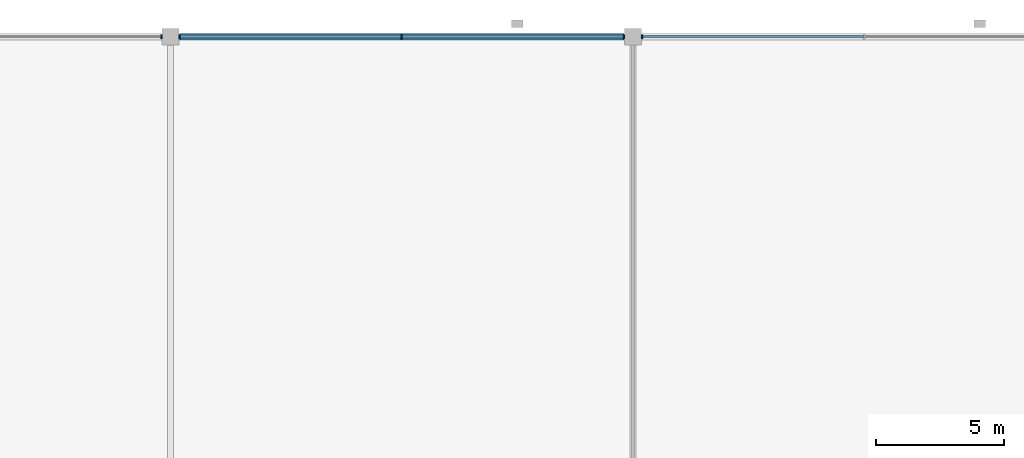
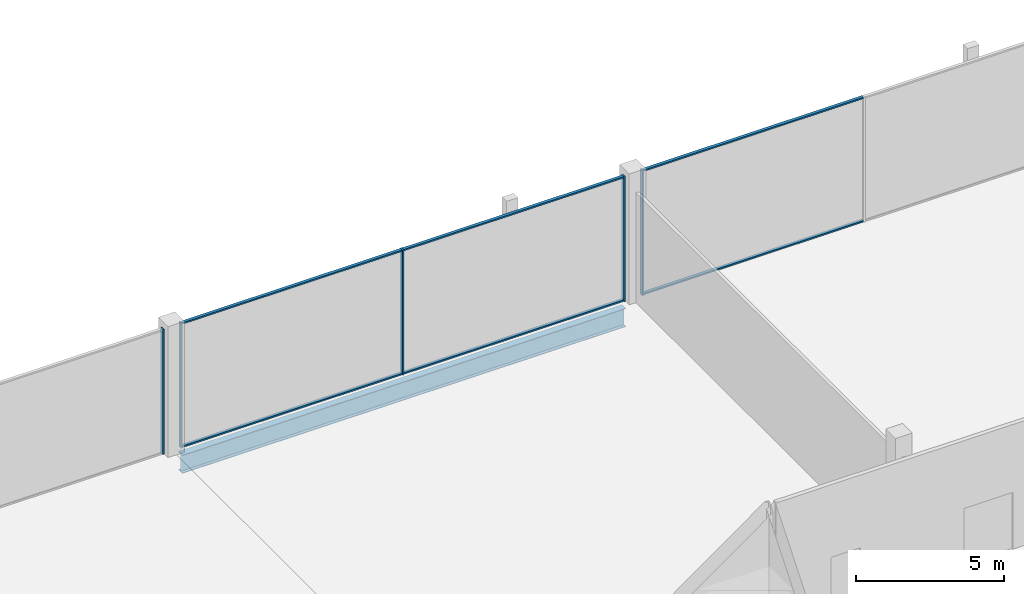
# One storey, part 43 of 113: 11 members, 1 beam, 3 elements without a shape of their own.
"""IFC4 building model written with IfcOpenShell, lengths in metres."""

import ifcopenshell
import ifcopenshell.guid

model = None  # the IFC model being written
_history = None  # IfcOwnerHistory: only IFC2X3 demands one
_inside = {}  # id of a spatial element -> (the spatial element, [elements in it])
_under = {}  # id of a project, library or spatial element -> (it, [spatial elements below it])
_declared = {}  # id of a project -> (the project, [libraries it declares])
_typed = {}  # id of a type object -> (the type object, [elements of that type])
_made_of = {}  # id of a material, layer set ... -> (it, [elements and type objects made of it])


def new_model(schema):
    """Start an empty IFC model of exactly this schema.

    Asked for "IFC4X3", IfcOpenShell would pick the latest addendum, in which some entities
    have other attributes; the version numbers below select the first issue.
    IFC2X3 requires an IfcOwnerHistory on every rooted entity: one is made here for all.
    """
    global model, _history
    if schema == "IFC4X3":
        model = ifcopenshell.file(schema_version=(4, 3, 0, 0))
    else:
        model = ifcopenshell.file(schema=schema)
    _inside.clear()
    _under.clear()
    _declared.clear()
    _typed.clear()
    _made_of.clear()
    _history = None
    if model.schema == "IFC2X3":
        org = make("IfcOrganization", Name="unknown")
        user = make(
            "IfcPersonAndOrganization",
            ThePerson=make("IfcPerson", FamilyName="unknown"),
            TheOrganization=org,
        )
        app = make(
            "IfcApplication",
            ApplicationDeveloper=org,
            Version="unknown",
            ApplicationFullName="unknown",
            ApplicationIdentifier="unknown",
        )
        _history = make(
            "IfcOwnerHistory",
            OwningUser=user,
            OwningApplication=app,
            ChangeAction="ADDED",
            CreationDate=0,
        )
    return model


def make(cls, **values):
    """One entity of the class cls with the attributes given. An attribute that is None is left unset."""
    return model.create_entity(
        cls, **{name: value for name, value in values.items() if value is not None}
    )


def rooted(cls, **values):
    """An entity with a GlobalId (a new one), such as an element, a storey or a relation."""
    return make(cls, GlobalId=ifcopenshell.guid.new(), OwnerHistory=_history, **values)


def si_unit(unit_type, name, prefix=None):
    """IfcSIUnit, for example si_unit("LENGTHUNIT", "METRE", prefix="MILLI")."""
    return make("IfcSIUnit", UnitType=unit_type, Prefix=prefix, Name=name)


def assignment(units):
    """IfcUnitAssignment: the units of a project."""
    return None if units is None else make("IfcUnitAssignment", Units=units)


def point(xyz):
    """IfcCartesianPoint."""
    return None if xyz is None else make("IfcCartesianPoint", Coordinates=xyz)


def direction(xyz):
    """IfcDirection."""
    return None if xyz is None else make("IfcDirection", DirectionRatios=xyz)


def frame(location, z_axis=None, x_axis=None):
    """IfcAxis2Placement3D, a coordinate frame: its origin and axes. An axis left out is left unset."""
    return make(
        "IfcAxis2Placement3D",
        Location=point(location),
        Axis=direction(z_axis),
        RefDirection=direction(x_axis),
    )


def frame_2d(location, x_axis=None):
    """IfcAxis2Placement2D, a coordinate frame in the plane: its origin and x axis."""
    return make(
        "IfcAxis2Placement2D", Location=point(location), RefDirection=direction(x_axis)
    )


def origin():
    """The frame at (0, 0, 0) with its axes left unset."""
    return frame((0.0, 0.0, 0.0))


def origin_2d():
    """The frame at (0, 0) in the plane with its x axis left unset."""
    return frame_2d((0.0, 0.0))


def place(relative_to, where):
    """IfcLocalPlacement: puts the frame where relative to a parent placement (None: the world)."""
    return make(
        "IfcLocalPlacement", PlacementRelTo=relative_to, RelativePlacement=where
    )


def context(
    kind, dimensions, precision=None, world=None, true_north=None, identifier=None
):
    """IfcGeometricRepresentationContext, for example the 3D "Model" context."""
    return make(
        "IfcGeometricRepresentationContext",
        ContextIdentifier=identifier,
        ContextType=kind,
        CoordinateSpaceDimension=dimensions,
        Precision=precision,
        WorldCoordinateSystem=world,
        TrueNorth=true_north,
    )


def subcontext(parent, identifier, kind, view, scale=None):
    """IfcGeometricRepresentationSubContext, for example "Body" below "Model"."""
    return make(
        "IfcGeometricRepresentationSubContext",
        ContextIdentifier=identifier,
        ContextType=kind,
        ParentContext=parent,
        TargetScale=scale,
        TargetView=view,
    )


def project(units=None, contexts=None):
    """IfcProject with its units and contexts."""
    return rooted(
        "IfcProject",
        Name="project",
        RepresentationContexts=contexts,
        UnitsInContext=assignment(units),
    )


def spatial(cls, under=None, at=None, **own):
    """A site, building, storey or space (cls), placed at a placement, below another one or the project."""
    s = rooted(cls, ObjectPlacement=at, **own)
    if under is not None:
        _under.setdefault(under.id(), (under, []))[1].append(s)
    return s


def profile(cls, at=None, kind="AREA", **sizes):
    """A parametric profile (cls). Its sizes go by their IFC names, for example OverallWidth=200.0."""
    return make(cls, ProfileType=kind, Position=at, **sizes)


def rectangle(**sizes):
    """IfcRectangleProfileDef."""
    return profile("IfcRectangleProfileDef", **sizes)


def i_section(**sizes):
    """IfcIShapeProfileDef."""
    return profile("IfcIShapeProfileDef", **sizes)


def extrude(swept, where, along, depth):
    """IfcExtrudedAreaSolid: the profile swept, set in the frame where, extruded along a direction by depth."""
    return make(
        "IfcExtrudedAreaSolid",
        SweptArea=swept,
        Position=where,
        ExtrudedDirection=direction(along),
        Depth=depth,
    )


def shape(context_of_items, identifier, shape_type, items):
    """IfcShapeRepresentation: the items that make up one representation, for example the "Body"."""
    return make(
        "IfcShapeRepresentation",
        ContextOfItems=context_of_items,
        RepresentationIdentifier=identifier,
        RepresentationType=shape_type,
        Items=items,
    )


def material(Name=None, Category=None):
    """IfcMaterial."""
    return make("IfcMaterial", Name=Name, Category=Category)


def layer(
    of_material, thickness, ventilated=None, Name=None, Category=None, Priority=None
):
    """IfcMaterialLayer: one layer of a wall or slab, of a material (None: an air gap)."""
    return make(
        "IfcMaterialLayer",
        Material=of_material,
        LayerThickness=thickness,
        IsVentilated=ventilated,
        Name=Name,
        Category=Category,
        Priority=Priority,
    )


def layer_set(layers, Name=None):
    """IfcMaterialLayerSet."""
    return make("IfcMaterialLayerSet", MaterialLayers=layers, LayerSetName=Name)


def material_profile(
    of_material, cross_section, Name=None, Category=None, Priority=None
):
    """IfcMaterialProfile: a cross section and its material."""
    return make(
        "IfcMaterialProfile",
        Name=Name,
        Material=of_material,
        Profile=cross_section,
        Priority=Priority,
        Category=Category,
    )


def profile_set(profiles, Name=None, composite=None):
    """IfcMaterialProfileSet."""
    return make(
        "IfcMaterialProfileSet",
        Name=Name,
        MaterialProfiles=profiles,
        CompositeProfile=composite,
    )


def made_of(thing, what):
    """Note that an element or type object is made of a material, layer set ...; save() writes the relation."""
    if what is not None:
        _made_of.setdefault(what.id(), (what, []))[1].append(thing)
    return thing


def type_object(cls, material=None, **own):
    """A type object (cls), such as IfcWallType, which elements share."""
    return made_of(rooted(cls, **own), material)


def element(
    cls,
    number,
    at=None,
    inside=None,
    cuts=None,
    type_object=None,
    material=None,
    context=None,
    identifier="Body",
    shape_type=None,
    held_by="IfcProductDefinitionShape",
    body=None,
    shapes=None,
    **own,
):
    """One element of the class cls, such as IfcWall. Its Tag is "e" and its number.

    at: its placement. inside: the storey or other place that contains it. cuts: it is an
    opening in that element (IfcRelVoidsElement). A single representation is given by context,
    identifier, shape_type and body (its items); several are given by shapes. held_by: the class
    of the entity that holds the representations. save() writes the other relations.
    """
    e = rooted(cls, Tag="e%d" % number, ObjectPlacement=at, **own)
    if body is not None:
        shapes = [shape(context, identifier, shape_type, body)]
    if shapes is not None:
        e.Representation = make(held_by, Representations=shapes)
    if inside is not None:
        _inside.setdefault(inside.id(), (inside, []))[1].append(e)
    if cuts is not None:
        rooted(
            "IfcRelVoidsElement", RelatingBuildingElement=cuts, RelatedOpeningElement=e
        )
    if type_object is not None:
        _typed.setdefault(type_object.id(), (type_object, []))[1].append(e)
    return made_of(e, material)


def aggregate(whole, parts):
    """IfcRelAggregates: a whole, such as a stair, and the parts it consists of."""
    return rooted("IfcRelAggregates", RelatingObject=whole, RelatedObjects=parts)


def save(model, path):
    """Write the relations noted so far, then the file.

    IfcRelAggregates (storeys below a building ...), IfcRelContainedInSpatialStructure (elements
    in a storey), IfcRelDefinesByType, IfcRelAssociatesMaterial and IfcRelDeclares: one each for
    every whole, place, type object, material and project.
    """
    for whole, parts in _under.values():
        aggregate(whole, parts)
    for where, things in _inside.values():
        rooted(
            "IfcRelContainedInSpatialStructure",
            RelatedElements=things,
            RelatingStructure=where,
        )
    for kind, things in _typed.values():
        rooted("IfcRelDefinesByType", RelatedObjects=things, RelatingType=kind)
    for what, things in _made_of.values():
        rooted("IfcRelAssociatesMaterial", RelatedObjects=things, RelatingMaterial=what)
    for by, libraries in _declared.values():
        rooted("IfcRelDeclares", RelatingContext=by, RelatedDefinitions=libraries)
    model.write(path)


model = new_model("IFC4")

# Units and contexts
model_context = context("Model", 3, precision=1e-05, world=origin(), true_north=direction((0.0, 1.0)))
body_context = subcontext(model_context, "Body", "Model", "MODEL_VIEW")
ifc_project = project(units=[si_unit("LENGTHUNIT", "METRE"), si_unit("AREAUNIT", "SQUARE_METRE"), si_unit("VOLUMEUNIT", "CUBIC_METRE"), si_unit("PLANEANGLEUNIT", "RADIAN"), si_unit("MASSUNIT", "GRAM", prefix="KILO")], contexts=[model_context])

# Site, building, storey
site_placement = place(None, origin())
site = spatial("IfcSite", under=ifc_project, at=site_placement, CompositionType="ELEMENT")
building_placement = place(site_placement, origin())
building = spatial("IfcBuilding", under=site, at=building_placement, Name="Kisiwana Market Hall", CompositionType="ELEMENT")
storey_placement = place(building_placement, frame((0.0, 0.0, 6.0)))
storey = spatial("IfcBuildingStorey", under=building, at=storey_placement, Name="L01", CompositionType="ELEMENT", Elevation=6.0)

# Beam
ifc_material_1 = material(Name="Steel S355", Category="steel")
ifc_material_profile_1 = material_profile(ifc_material_1, i_section(OverallWidth=0.2666015625, OverallDepth=0.76220703125, WebThickness=0.014404296875, FlangeThickness=0.021484375, at=origin_2d()), Name="UB 762x267x173")
ifc_profile_set_1 = profile_set([ifc_material_profile_1], Name="Steel S355")
beam_type = type_object("IfcBeamType", Name="BM-GIRD-UB762", PredefinedType="BEAM", material=ifc_profile_set_1)
beam_placement = place(storey_placement, frame((99.345947265625, 120.0, -0.631103515625), z_axis=(1.0, 0.0, 0.0), x_axis=(0.0, 1.0, 0.0)))
element("IfcBeam", 1, at=beam_placement, inside=storey, type_object=beam_type, Name="Floor beam B-0548", PredefinedType="BEAM", context=body_context, shape_type="SweptSolid", body=[
    extrude(i_section(OverallWidth=0.2666015625, OverallDepth=0.76220703125, WebThickness=0.014404296875, FlangeThickness=0.021484375, at=origin_2d()), origin(), (0.0, 0.0, 1.0), 17.30810546875),
])

# Curtain wall, member
ifc_material_2 = material(Name="Double-glazed solar-control low-E IGU", Category="glass")
ifc_layer = layer(ifc_material_2, 0.159912109375)
ifc_layer_set = layer_set([ifc_layer], Name="CW-FC-N-8100")
curtain_wall_type = type_object("IfcCurtainWallType", Name="CW-FC-N-8100", PredefinedType="USERDEFINED", material=ifc_layer_set)
curtain_wall_1_placement = place(storey_placement, origin())
curtain_wall_1 = element("IfcCurtainWall", 2, at=curtain_wall_1_placement, inside=storey, type_object=curtain_wall_type, Name="Unitised curtain wall CW-038 (L01)", ObjectType="UNITISED CURTAIN WALL", PredefinedType="USERDEFINED")
ifc_material_3 = material(Name="Aluminium alloy 6063-T6", Category="aluminium")
ifc_material_profile_2 = material_profile(ifc_material_3, rectangle(XDim=0.06005859375, YDim=0.159912109375, at=origin_2d()), Name="ALU MULLION 60x160")
ifc_profile_set_2 = profile_set([ifc_material_profile_2], Name="Aluminium alloy 6063-T6")
member_type_1 = type_object("IfcMemberType", Name="CW-MULL-60x160", PredefinedType="MULLION", material=ifc_profile_set_2)
member_1_placement = place(storey_placement, frame((98.64501953125, 120.0, 0.0), z_axis=(0.0, 0.0, 1.0), x_axis=(1.0, 0.0, 0.0)))
member_1 = element("IfcMember", 3, at=member_1_placement, type_object=member_type_1, Name="CW-038 mullion 3", PredefinedType="MULLION", context=body_context, shape_type="SweptSolid", body=[
    extrude(rectangle(XDim=0.06005859375, YDim=0.159912109375, at=origin_2d()), origin(), (0.0, 0.0, 1.0), 5.14990234375),
])
aggregate(curtain_wall_1, [member_1])

# Curtain wall, members
curtain_wall_2_placement = place(storey_placement, origin())
curtain_wall_2 = element("IfcCurtainWall", 4, at=curtain_wall_2_placement, inside=storey, type_object=curtain_wall_type, Name="Unitised curtain wall CW-039 (L01)", ObjectType="UNITISED CURTAIN WALL", PredefinedType="USERDEFINED")
member_2_placement = place(storey_placement, frame((99.35498046875, 120.0, 0.0), z_axis=(0.0, 0.0, 1.0), x_axis=(1.0, 0.0, 0.0)))
member_2 = element("IfcMember", 5, at=member_2_placement, type_object=member_type_1, Name="CW-039 mullion 1", PredefinedType="MULLION", context=body_context, shape_type="SweptSolid", body=[
    extrude(rectangle(XDim=0.06005859375, YDim=0.159912109375, at=origin_2d()), origin(), (0.0, 0.0, 1.0), 5.14990234375),
])
member_3_placement = place(storey_placement, frame((108.0, 120.0, 0.0), z_axis=(0.0, 0.0, 1.0), x_axis=(1.0, 0.0, 0.0)))
member_3 = element("IfcMember", 6, at=member_3_placement, type_object=member_type_1, Name="CW-039 mullion 2", PredefinedType="MULLION", context=body_context, shape_type="SweptSolid", body=[
    extrude(rectangle(XDim=0.06005859375, YDim=0.159912109375, at=origin_2d()), origin(), (0.0, 0.0, 1.0), 5.14990234375),
])
member_4_placement = place(storey_placement, frame((116.64501953125, 120.0, 0.0), z_axis=(0.0, 0.0, 1.0), x_axis=(1.0, 0.0, 0.0)))
member_4 = element("IfcMember", 7, at=member_4_placement, type_object=member_type_1, Name="CW-039 mullion 3", PredefinedType="MULLION", context=body_context, shape_type="SweptSolid", body=[
    extrude(rectangle(XDim=0.06005859375, YDim=0.159912109375, at=origin_2d()), origin(), (0.0, 0.0, 1.0), 5.14990234375),
])

# Curtain wall, member
curtain_wall_3_placement = place(storey_placement, origin())
curtain_wall_3 = element("IfcCurtainWall", 8, at=curtain_wall_3_placement, inside=storey, type_object=curtain_wall_type, Name="Unitised curtain wall CW-040 (L01)", ObjectType="UNITISED CURTAIN WALL", PredefinedType="USERDEFINED")
member_5_placement = place(storey_placement, frame((117.35498046875, 120.0, 0.0), z_axis=(0.0, 0.0, 1.0), x_axis=(1.0, 0.0, 0.0)))
member_5 = element("IfcMember", 9, at=member_5_placement, type_object=member_type_1, Name="CW-040 mullion 1", PredefinedType="MULLION", context=body_context, shape_type="SweptSolid", body=[
    extrude(rectangle(XDim=0.06005859375, YDim=0.159912109375, at=origin_2d()), origin(), (0.0, 0.0, 1.0), 5.14990234375),
])

# Member
ifc_material_4 = material(Name="Aluminium alloy 6063-T6", Category="aluminium")
ifc_material_profile_3 = material_profile(ifc_material_4, rectangle(XDim=0.1201171875, YDim=0.06005859375, at=origin_2d()), Name="ALU TRANSOM 60x120")
ifc_profile_set_3 = profile_set([ifc_material_profile_3], Name="Aluminium alloy 6063-T6")
member_type_2 = type_object("IfcMemberType", Name="CW-TRAN-60x120", PredefinedType="USERDEFINED", material=ifc_profile_set_3)
member_6_placement = place(storey_placement, frame((99.385009765625, 120.0, 0.030029296875), z_axis=(1.0, 0.0, 0.0), x_axis=(0.0, 1.0, 0.0)))
member_6 = element("IfcMember", 10, at=member_6_placement, type_object=member_type_2, Name="CW-039 transom 1.1", ObjectType="TRANSOM", PredefinedType="USERDEFINED", context=body_context, shape_type="SweptSolid", body=[
    extrude(rectangle(XDim=0.1201171875, YDim=0.06005859375, at=origin_2d()), origin(), (0.0, 0.0, 1.0), 8.5849609375),
])

member_7_placement = place(storey_placement, frame((99.385009765625, 120.0, 5.1201171875), z_axis=(1.0, 0.0, 0.0), x_axis=(0.0, 1.0, 0.0)))
member_7 = element("IfcMember", 11, at=member_7_placement, type_object=member_type_2, Name="CW-039 transom 1.2", ObjectType="TRANSOM", PredefinedType="USERDEFINED", context=body_context, shape_type="SweptSolid", body=[
    extrude(rectangle(XDim=0.1201171875, YDim=0.06005859375, at=origin_2d()), origin(), (0.0, 0.0, 1.0), 8.5849609375),
])

member_8_placement = place(storey_placement, frame((108.030029296875, 120.0, 0.030029296875), z_axis=(1.0, 0.0, 0.0), x_axis=(0.0, 1.0, 0.0)))
member_8 = element("IfcMember", 12, at=member_8_placement, type_object=member_type_2, Name="CW-039 transom 2.1", ObjectType="TRANSOM", PredefinedType="USERDEFINED", context=body_context, shape_type="SweptSolid", body=[
    extrude(rectangle(XDim=0.1201171875, YDim=0.06005859375, at=origin_2d()), origin(), (0.0, 0.0, 1.0), 8.5849609375),
])

member_9_placement = place(storey_placement, frame((108.030029296875, 120.0, 5.1201171875), z_axis=(1.0, 0.0, 0.0), x_axis=(0.0, 1.0, 0.0)))
member_9 = element("IfcMember", 13, at=member_9_placement, type_object=member_type_2, Name="CW-039 transom 2.2", ObjectType="TRANSOM", PredefinedType="USERDEFINED", context=body_context, shape_type="SweptSolid", body=[
    extrude(rectangle(XDim=0.1201171875, YDim=0.06005859375, at=origin_2d()), origin(), (0.0, 0.0, 1.0), 8.5849609375),
])

aggregate(curtain_wall_2, [member_2, member_3, member_4, member_6, member_7, member_8, member_9])

member_10_placement = place(storey_placement, frame((117.385009765625, 120.0, 0.030029296875), z_axis=(1.0, 0.0, 0.0), x_axis=(0.0, 1.0, 0.0)))
member_10 = element("IfcMember", 14, at=member_10_placement, type_object=member_type_2, Name="CW-040 transom 1.1", ObjectType="TRANSOM", PredefinedType="USERDEFINED", context=body_context, shape_type="SweptSolid", body=[
    extrude(rectangle(XDim=0.1201171875, YDim=0.06005859375, at=origin_2d()), origin(), (0.0, 0.0, 1.0), 8.5849609375),
])

member_11_placement = place(storey_placement, frame((117.385009765625, 120.0, 5.1201171875), z_axis=(1.0, 0.0, 0.0), x_axis=(0.0, 1.0, 0.0)))
member_11 = element("IfcMember", 15, at=member_11_placement, type_object=member_type_2, Name="CW-040 transom 1.2", ObjectType="TRANSOM", PredefinedType="USERDEFINED", context=body_context, shape_type="SweptSolid", body=[
    extrude(rectangle(XDim=0.1201171875, YDim=0.06005859375, at=origin_2d()), origin(), (0.0, 0.0, 1.0), 8.5849609375),
])

aggregate(curtain_wall_3, [member_5, member_10, member_11])

save(model, "model.ifc")
